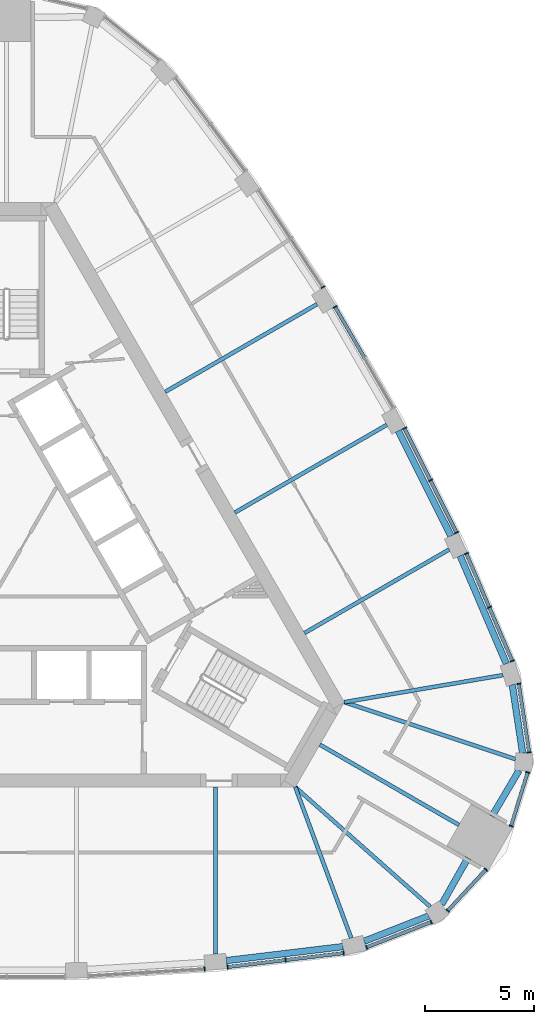
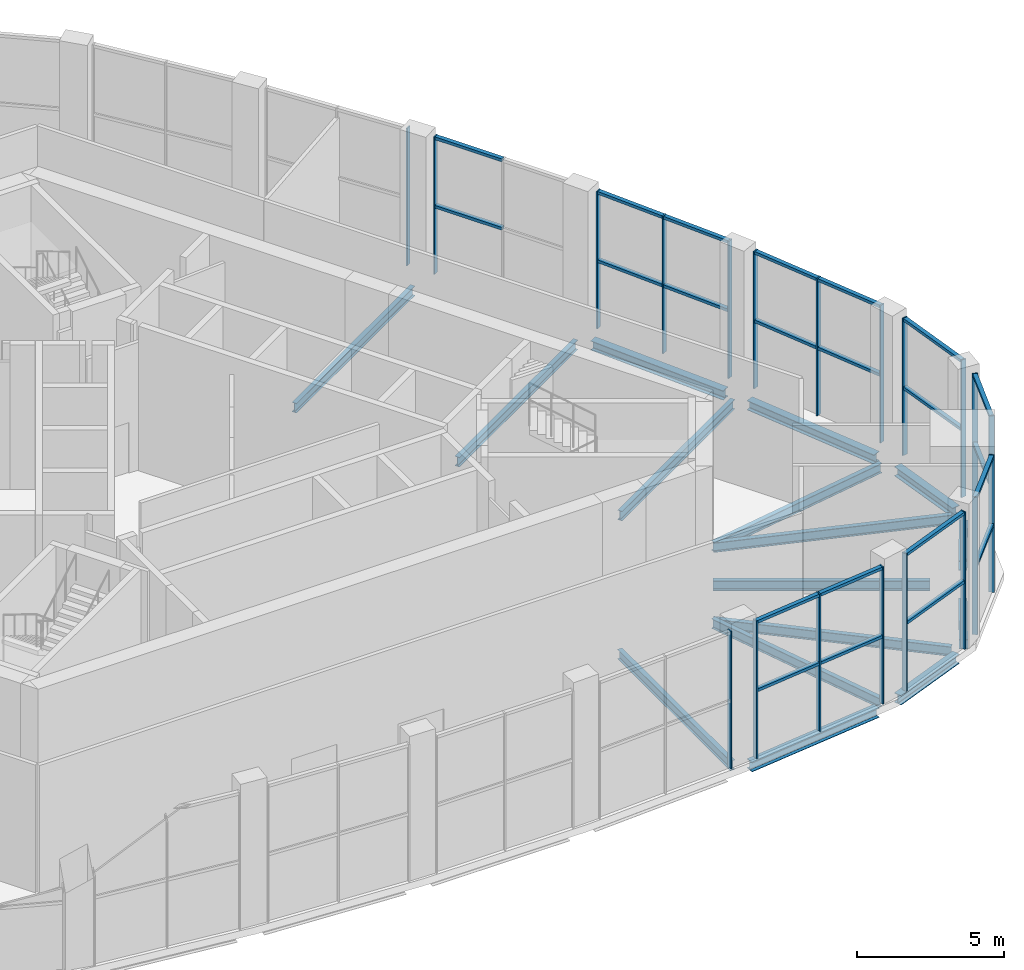
# One storey, part 5 of 15: 42 members, 16 beams, 3 elements without a shape of their own.
"""IFC4 building model written with IfcOpenShell, lengths in metres."""

from ifc_helpers import new_model, si_unit, direction, frame, origin, origin_2d, place, context, subcontext, project, spatial, rectangle, i_section, extrude, material, material_profile, profile_set, type_object, element, aggregate, save


model = new_model("IFC4")

# Units and contexts
model_context = context("Model", 3, precision=1e-05, world=origin(), true_north=direction((0.0, 1.0)))
body_context = subcontext(model_context, "Body", "Model", "MODEL_VIEW")
ifc_project = project(units=[si_unit("LENGTHUNIT", "METRE"), si_unit("AREAUNIT", "SQUARE_METRE"), si_unit("VOLUMEUNIT", "CUBIC_METRE"), si_unit("PLANEANGLEUNIT", "RADIAN"), si_unit("MASSUNIT", "GRAM", prefix="KILO")], contexts=[model_context])

# Site, building, storey
site_placement = place(None, origin())
site = spatial("IfcSite", under=ifc_project, at=site_placement, CompositionType="ELEMENT")
building_placement = place(site_placement, origin())
building = spatial("IfcBuilding", under=site, at=building_placement, Name="Mestral Congress Tower", CompositionType="ELEMENT")
storey_placement = place(building_placement, frame((0.0, 0.0, 321.60009765625)))
storey = spatial("IfcBuildingStorey", under=building, at=storey_placement, Name="L75", CompositionType="ELEMENT", Elevation=321.60009765625)

# Curtain wall, members
ifc_material_1 = material(Name="Clear low-emissivity double glazing", Category="glass")
curtain_wall_type = type_object("IfcCurtainWallType", Name="Facade lookout lounge curtain wall", PredefinedType="USERDEFINED", material=ifc_material_1)
placement = place(storey_placement, origin())
curtain_wall_1 = element("IfcCurtainWall", 1, at=placement, inside=storey, type_object=curtain_wall_type, Name="Facade lookout lounge curtain wall face 1", ObjectType="CURTAIN WALL", PredefinedType="USERDEFINED")
ifc_material_2 = material(Name="Anodised aluminium", Category="aluminium")
ifc_material_profile_1 = material_profile(ifc_material_2, rectangle(XDim=0.199951171875, YDim=0.050048828125, at=origin_2d()), Name="CW2 mullion 200 x 50")
ifc_profile_set_1 = profile_set([ifc_material_profile_1], Name="Anodised aluminium")
member_type_1 = type_object("IfcMemberType", Name="Facade lookout lounge curtain wall mullion", PredefinedType="MULLION", material=ifc_profile_set_1)
member_1_placement = place(storey_placement, frame((9.08447265625, -18.604248046875, 0.0), z_axis=(0.0, 0.0, 1.0), x_axis=(0.05961823471, -0.998221251071, 0.0)))
member_1 = element("IfcMember", 2, at=member_1_placement, type_object=member_type_1, Name="Facade lookout lounge curtain wall mullion", PredefinedType="MULLION", context=body_context, shape_type="SweptSolid", body=[
    extrude(rectangle(XDim=0.199951171875, YDim=0.050048828125, at=origin_2d()), origin(), (0.0, 0.0, 1.0), 5.699951171875),
])
member_2_placement = place(storey_placement, frame((10.140625, -18.509521484375, 0.0), z_axis=(0.0, 0.0, 1.0), x_axis=(0.119057303137, -0.992887384636, 0.0)))
member_2 = element("IfcMember", 3, at=member_2_placement, type_object=member_type_1, Name="Facade lookout lounge curtain wall mullion", PredefinedType="MULLION", context=body_context, shape_type="SweptSolid", body=[
    extrude(rectangle(XDim=0.199951171875, YDim=0.050048828125, at=origin_2d()), origin(), (0.0, 0.0, 1.0), 5.699951171875),
])
member_3_placement = place(storey_placement, frame((12.80419921875, -18.190185546875, 0.0), z_axis=(0.0, 0.0, 1.0), x_axis=(0.119057303137, -0.992887384636, 0.0)))
member_3 = element("IfcMember", 4, at=member_3_placement, type_object=member_type_1, Name="Facade lookout lounge curtain wall mullion", PredefinedType="MULLION", context=body_context, shape_type="SweptSolid", body=[
    extrude(rectangle(XDim=0.199951171875, YDim=0.050048828125, at=origin_2d()), origin(), (0.0, 0.0, 1.0), 5.699951171875),
])
member_4_placement = place(storey_placement, frame((15.467529296875, -17.87060546875, 0.0), z_axis=(0.0, 0.0, 1.0), x_axis=(0.119057303137, -0.992887384636, 0.0)))
member_4 = element("IfcMember", 5, at=member_4_placement, type_object=member_type_1, Name="Facade lookout lounge curtain wall mullion", PredefinedType="MULLION", context=body_context, shape_type="SweptSolid", body=[
    extrude(rectangle(XDim=0.199951171875, YDim=0.050048828125, at=origin_2d()), origin(), (0.0, 0.0, 1.0), 5.699951171875),
])

curtain_wall_2 = element("IfcCurtainWall", 6, at=placement, inside=storey, type_object=curtain_wall_type, Name="Facade lookout lounge curtain wall face 2", ObjectType="CURTAIN WALL", PredefinedType="USERDEFINED")
member_5_placement = place(storey_placement, frame((23.21044921875, -4.4599609375, 0.0), z_axis=(0.0, 0.0, 1.0), x_axis=(0.919386111527, 0.39335629896, 0.0)))
member_5 = element("IfcMember", 7, at=member_5_placement, type_object=member_type_1, Name="Facade lookout lounge curtain wall mullion", PredefinedType="MULLION", context=body_context, shape_type="SweptSolid", body=[
    extrude(rectangle(XDim=0.199951171875, YDim=0.050048828125, at=origin_2d()), origin(), (0.0, 0.0, 1.0), 5.699951171875),
])
member_6_placement = place(storey_placement, frame((22.1552734375, -1.99365234375, 0.0), z_axis=(0.0, 0.0, 1.0), x_axis=(0.919386111527, 0.39335629896, 0.0)))
member_6 = element("IfcMember", 8, at=member_6_placement, type_object=member_type_1, Name="Facade lookout lounge curtain wall mullion", PredefinedType="MULLION", context=body_context, shape_type="SweptSolid", body=[
    extrude(rectangle(XDim=0.199951171875, YDim=0.050048828125, at=origin_2d()), origin(), (0.0, 0.0, 1.0), 5.699951171875),
])
member_7_placement = place(storey_placement, frame((21.10009765625, 0.472412109375, 0.0), z_axis=(0.0, 0.0, 1.0), x_axis=(0.919386111527, 0.39335629896, 0.0)))
member_7 = element("IfcMember", 9, at=member_7_placement, type_object=member_type_1, Name="Facade lookout lounge curtain wall mullion", PredefinedType="MULLION", context=body_context, shape_type="SweptSolid", body=[
    extrude(rectangle(XDim=0.199951171875, YDim=0.050048828125, at=origin_2d()), origin(), (0.0, 0.0, 1.0), 5.699951171875),
])
member_8_placement = place(storey_placement, frame((20.654052734375, 1.434814453125, 0.0), z_axis=(0.0, 0.0, 1.0), x_axis=(0.89429954631, 0.447468793851, 0.0)))
member_8 = element("IfcMember", 10, at=member_8_placement, type_object=member_type_1, Name="Facade lookout lounge curtain wall mullion", PredefinedType="MULLION", context=body_context, shape_type="SweptSolid", body=[
    extrude(rectangle(XDim=0.199951171875, YDim=0.050048828125, at=origin_2d()), origin(), (0.0, 0.0, 1.0), 5.699951171875),
])
member_9_placement = place(storey_placement, frame((19.455810546875, 3.82958984375, 0.0), z_axis=(0.0, 0.0, 1.0), x_axis=(0.89429954631, 0.447468793851, 0.0)))
member_9 = element("IfcMember", 11, at=member_9_placement, type_object=member_type_1, Name="Facade lookout lounge curtain wall mullion", PredefinedType="MULLION", context=body_context, shape_type="SweptSolid", body=[
    extrude(rectangle(XDim=0.199951171875, YDim=0.050048828125, at=origin_2d()), origin(), (0.0, 0.0, 1.0), 5.699951171875),
])
member_10_placement = place(storey_placement, frame((18.25732421875, 6.224609375, 0.0), z_axis=(0.0, 0.0, 1.0), x_axis=(0.89429954631, 0.447468793851, 0.0)))
member_10 = element("IfcMember", 12, at=member_10_placement, type_object=member_type_1, Name="Facade lookout lounge curtain wall mullion", PredefinedType="MULLION", context=body_context, shape_type="SweptSolid", body=[
    extrude(rectangle(XDim=0.199951171875, YDim=0.050048828125, at=origin_2d()), origin(), (0.0, 0.0, 1.0), 5.699951171875),
])
member_11_placement = place(storey_placement, frame((15.07666015625, 11.796875, 0.0), z_axis=(0.0, 0.0, 1.0), x_axis=(0.866021913105, 0.500006045986, 0.0)))
member_11 = element("IfcMember", 13, at=member_11_placement, type_object=member_type_1, Name="Facade lookout lounge curtain wall mullion", PredefinedType="MULLION", context=body_context, shape_type="SweptSolid", body=[
    extrude(rectangle(XDim=0.199951171875, YDim=0.050048828125, at=origin_2d()), origin(), (0.0, 0.0, 1.0), 5.699951171875),
])
member_12_placement = place(storey_placement, frame((14.519287109375, 12.698974609375, 0.0), z_axis=(0.0, 0.0, 1.0), x_axis=(0.834674883443, 0.550742988107, 0.0)))
member_12 = element("IfcMember", 14, at=member_12_placement, type_object=member_type_1, Name="Facade lookout lounge curtain wall mullion", PredefinedType="MULLION", context=body_context, shape_type="SweptSolid", body=[
    extrude(rectangle(XDim=0.199951171875, YDim=0.050048828125, at=origin_2d()), origin(), (0.0, 0.0, 1.0), 5.699951171875),
])

curtain_wall_3 = element("IfcCurtainWall", 15, at=placement, inside=storey, type_object=curtain_wall_type, Name="Facade lookout lounge curtain wall corner 1", ObjectType="CURTAIN WALL", PredefinedType="USERDEFINED")
member_13_placement = place(storey_placement, frame((16.522705078125, -17.60595703125, 0.0), z_axis=(0.0, 0.0, 1.0), x_axis=(0.365023029741, -0.930998489665, 0.0)))
member_13 = element("IfcMember", 16, at=member_13_placement, type_object=member_type_1, Name="Facade lookout lounge curtain wall mullion", PredefinedType="MULLION", context=body_context, shape_type="SweptSolid", body=[
    extrude(rectangle(XDim=0.199951171875, YDim=0.050048828125, at=origin_2d()), origin(), (0.0, 0.0, 1.0), 5.699951171875),
])
member_14_placement = place(storey_placement, frame((19.489501953125, -16.442626953125, 0.0), z_axis=(0.0, 0.0, 1.0), x_axis=(0.365023029741, -0.930998489665, 0.0)))
member_14 = element("IfcMember", 17, at=member_14_placement, type_object=member_type_1, Name="Facade lookout lounge curtain wall mullion", PredefinedType="MULLION", context=body_context, shape_type="SweptSolid", body=[
    extrude(rectangle(XDim=0.199951171875, YDim=0.050048828125, at=origin_2d()), origin(), (0.0, 0.0, 1.0), 5.699951171875),
])
member_15_placement = place(storey_placement, frame((20.248046875, -15.92578125, 0.0), z_axis=(0.0, 0.0, 1.0), x_axis=(0.732987085377, -0.680242554292, 0.0)))
member_15 = element("IfcMember", 18, at=member_15_placement, type_object=member_type_1, Name="Facade lookout lounge curtain wall mullion", PredefinedType="MULLION", context=body_context, shape_type="SweptSolid", body=[
    extrude(rectangle(XDim=0.199951171875, YDim=0.050048828125, at=origin_2d()), origin(), (0.0, 0.0, 1.0), 5.699951171875),
])
member_16_placement = place(storey_placement, frame((22.0009765625, -14.037109375, 0.0), z_axis=(0.0, 0.0, 1.0), x_axis=(0.732987085377, -0.680242554292, 0.0)))
member_16 = element("IfcMember", 19, at=member_16_placement, type_object=member_type_1, Name="Facade lookout lounge curtain wall mullion", PredefinedType="MULLION", context=body_context, shape_type="SweptSolid", body=[
    extrude(rectangle(XDim=0.199951171875, YDim=0.050048828125, at=origin_2d()), origin(), (0.0, 0.0, 1.0), 5.699951171875),
])
member_17_placement = place(storey_placement, frame((23.15673828125, -12.034912109375, 0.0), z_axis=(0.0, 0.0, 1.0), x_axis=(0.955601904007, -0.294660823758, 0.0)))
member_17 = element("IfcMember", 20, at=member_17_placement, type_object=member_type_1, Name="Facade lookout lounge curtain wall mullion", PredefinedType="MULLION", context=body_context, shape_type="SweptSolid", body=[
    extrude(rectangle(XDim=0.199951171875, YDim=0.050048828125, at=origin_2d()), origin(), (0.0, 0.0, 1.0), 5.699951171875),
])
member_18_placement = place(storey_placement, frame((23.916259765625, -9.572265625, 0.0), z_axis=(0.0, 0.0, 1.0), x_axis=(0.955601904007, -0.294660823758, 0.0)))
member_18 = element("IfcMember", 21, at=member_18_placement, type_object=member_type_1, Name="Facade lookout lounge curtain wall mullion", PredefinedType="MULLION", context=body_context, shape_type="SweptSolid", body=[
    extrude(rectangle(XDim=0.199951171875, YDim=0.050048828125, at=origin_2d()), origin(), (0.0, 0.0, 1.0), 5.699951171875),
])
member_19_placement = place(storey_placement, frame((23.984619140625, -8.656982421875, 0.0), z_axis=(0.0, 0.0, 1.0), x_axis=(0.988781943448, 0.149366222125, 0.0)))
member_19 = element("IfcMember", 22, at=member_19_placement, type_object=member_type_1, Name="Facade lookout lounge curtain wall mullion", PredefinedType="MULLION", context=body_context, shape_type="SweptSolid", body=[
    extrude(rectangle(XDim=0.199951171875, YDim=0.050048828125, at=origin_2d()), origin(), (0.0, 0.0, 1.0), 5.699951171875),
])
member_20_placement = place(storey_placement, frame((23.508544921875, -5.506103515625, 0.0), z_axis=(0.0, 0.0, 1.0), x_axis=(0.988781943448, 0.149366222125, 0.0)))
member_20 = element("IfcMember", 23, at=member_20_placement, type_object=member_type_1, Name="Facade lookout lounge curtain wall mullion", PredefinedType="MULLION", context=body_context, shape_type="SweptSolid", body=[
    extrude(rectangle(XDim=0.199951171875, YDim=0.050048828125, at=origin_2d()), origin(), (0.0, 0.0, 1.0), 5.699951171875),
])

# Member
ifc_material_profile_2 = material_profile(ifc_material_2, rectangle(XDim=0.159912109375, YDim=0.1201171875, at=origin_2d()), Name="CW2 transom 160 x 120")
ifc_profile_set_2 = profile_set([ifc_material_profile_2], Name="Anodised aluminium")
member_type_2 = type_object("IfcMemberType", Name="Facade lookout lounge curtain wall transom", PredefinedType="USERDEFINED", material=ifc_profile_set_2)
member_21_placement = place(storey_placement, frame((10.16552734375, -18.506591796875, 2.7998046875), z_axis=(0.992884735377, 0.119079394753, 0.0), x_axis=(-0.119079394753, 0.992884735377, 0.0)))
member_21 = element("IfcMember", 24, at=member_21_placement, type_object=member_type_2, Name="Facade lookout lounge curtain wall transom", ObjectType="TRANSOM", PredefinedType="USERDEFINED", context=body_context, shape_type="SweptSolid", body=[
    extrude(rectangle(XDim=0.159912109375, YDim=0.1201171875, at=origin_2d()), origin(), (0.0, 0.0, 1.0), 2.632568359375),
])

member_22_placement = place(storey_placement, frame((10.16552734375, -18.506591796875, 5.639892578125), z_axis=(0.992884735377, 0.119079394753, 0.0), x_axis=(-0.119079394753, 0.992884735377, 0.0)))
member_22 = element("IfcMember", 25, at=member_22_placement, type_object=member_type_2, Name="Facade lookout lounge curtain wall transom", ObjectType="TRANSOM", PredefinedType="USERDEFINED", context=body_context, shape_type="SweptSolid", body=[
    extrude(rectangle(XDim=0.159912109375, YDim=0.1201171875, at=origin_2d()), origin(), (0.0, 0.0, 1.0), 2.632568359375),
])

member_23_placement = place(storey_placement, frame((12.8291015625, -18.18701171875, 2.7998046875), z_axis=(0.992895696249, 0.118987967335, 0.0), x_axis=(-0.118987967335, 0.992895696249, 0.0)))
member_23 = element("IfcMember", 26, at=member_23_placement, type_object=member_type_2, Name="Facade lookout lounge curtain wall transom", ObjectType="TRANSOM", PredefinedType="USERDEFINED", context=body_context, shape_type="SweptSolid", body=[
    extrude(rectangle(XDim=0.159912109375, YDim=0.1201171875, at=origin_2d()), origin(), (0.0, 0.0, 1.0), 2.632568359375),
])

member_24_placement = place(storey_placement, frame((12.8291015625, -18.18701171875, 5.639892578125), z_axis=(0.992895696249, 0.118987967335, 0.0), x_axis=(-0.118987967335, 0.992895696249, 0.0)))
member_24 = element("IfcMember", 27, at=member_24_placement, type_object=member_type_2, Name="Facade lookout lounge curtain wall transom", ObjectType="TRANSOM", PredefinedType="USERDEFINED", context=body_context, shape_type="SweptSolid", body=[
    extrude(rectangle(XDim=0.159912109375, YDim=0.1201171875, at=origin_2d()), origin(), (0.0, 0.0, 1.0), 2.632568359375),
])

aggregate(curtain_wall_1, [member_1, member_2, member_3, member_4, member_21, member_22, member_23, member_24])

member_25_placement = place(storey_placement, frame((23.200439453125, -4.43701171875, 2.7998046875), z_axis=(-0.393303619027, 0.919408648676, 0.0), x_axis=(-0.919408648676, -0.393303619027, 0.0)))
member_25 = element("IfcMember", 28, at=member_25_placement, type_object=member_type_2, Name="Facade lookout lounge curtain wall transom", ObjectType="TRANSOM", PredefinedType="USERDEFINED", context=body_context, shape_type="SweptSolid", body=[
    extrude(rectangle(XDim=0.159912109375, YDim=0.1201171875, at=origin_2d()), origin(), (0.0, 0.0, 1.0), 2.632568359375),
])

member_26_placement = place(storey_placement, frame((23.200439453125, -4.43701171875, 5.639892578125), z_axis=(-0.393303619027, 0.919408648676, 0.0), x_axis=(-0.919408648676, -0.393303619027, 0.0)))
member_26 = element("IfcMember", 29, at=member_26_placement, type_object=member_type_2, Name="Facade lookout lounge curtain wall transom", ObjectType="TRANSOM", PredefinedType="USERDEFINED", context=body_context, shape_type="SweptSolid", body=[
    extrude(rectangle(XDim=0.159912109375, YDim=0.1201171875, at=origin_2d()), origin(), (0.0, 0.0, 1.0), 2.632568359375),
])

member_27_placement = place(storey_placement, frame((22.1455078125, -1.970703125, 2.7998046875), z_axis=(-0.393415549329, 0.919360759194, 0.0), x_axis=(-0.919360759194, -0.393415549329, 0.0)))
member_27 = element("IfcMember", 30, at=member_27_placement, type_object=member_type_2, Name="Facade lookout lounge curtain wall transom", ObjectType="TRANSOM", PredefinedType="USERDEFINED", context=body_context, shape_type="SweptSolid", body=[
    extrude(rectangle(XDim=0.159912109375, YDim=0.1201171875, at=origin_2d()), origin(), (0.0, 0.0, 1.0), 2.63232421875),
])

member_28_placement = place(storey_placement, frame((22.1455078125, -1.970703125, 5.639892578125), z_axis=(-0.393415549329, 0.919360759194, 0.0), x_axis=(-0.919360759194, -0.393415549329, 0.0)))
member_28 = element("IfcMember", 31, at=member_28_placement, type_object=member_type_2, Name="Facade lookout lounge curtain wall transom", ObjectType="TRANSOM", PredefinedType="USERDEFINED", context=body_context, shape_type="SweptSolid", body=[
    extrude(rectangle(XDim=0.159912109375, YDim=0.1201171875, at=origin_2d()), origin(), (0.0, 0.0, 1.0), 2.63232421875),
])

member_29_placement = place(storey_placement, frame((20.642822265625, 1.45703125, 2.7998046875), z_axis=(-0.447473681699, 0.894297100625, 0.0), x_axis=(-0.894297100625, -0.447473681699, 0.0)))
member_29 = element("IfcMember", 32, at=member_29_placement, type_object=member_type_2, Name="Facade lookout lounge curtain wall transom", ObjectType="TRANSOM", PredefinedType="USERDEFINED", context=body_context, shape_type="SweptSolid", body=[
    extrude(rectangle(XDim=0.159912109375, YDim=0.1201171875, at=origin_2d()), origin(), (0.0, 0.0, 1.0), 2.628173828125),
])

member_30_placement = place(storey_placement, frame((20.642822265625, 1.45703125, 5.639892578125), z_axis=(-0.447473681699, 0.894297100625, 0.0), x_axis=(-0.894297100625, -0.447473681699, 0.0)))
member_30 = element("IfcMember", 33, at=member_30_placement, type_object=member_type_2, Name="Facade lookout lounge curtain wall transom", ObjectType="TRANSOM", PredefinedType="USERDEFINED", context=body_context, shape_type="SweptSolid", body=[
    extrude(rectangle(XDim=0.159912109375, YDim=0.1201171875, at=origin_2d()), origin(), (0.0, 0.0, 1.0), 2.628173828125),
])

member_31_placement = place(storey_placement, frame((19.444580078125, 3.85205078125, 2.7998046875), z_axis=(-0.447510858475, 0.894278497755, 0.0), x_axis=(-0.894278497755, -0.447510858475, 0.0)))
member_31 = element("IfcMember", 34, at=member_31_placement, type_object=member_type_2, Name="Facade lookout lounge curtain wall transom", ObjectType="TRANSOM", PredefinedType="USERDEFINED", context=body_context, shape_type="SweptSolid", body=[
    extrude(rectangle(XDim=0.159912109375, YDim=0.1201171875, at=origin_2d()), origin(), (0.0, 0.0, 1.0), 2.6279296875),
])

member_32_placement = place(storey_placement, frame((19.444580078125, 3.85205078125, 5.639892578125), z_axis=(-0.447510858475, 0.894278497755, 0.0), x_axis=(-0.894278497755, -0.447510858475, 0.0)))
member_32 = element("IfcMember", 35, at=member_32_placement, type_object=member_type_2, Name="Facade lookout lounge curtain wall transom", ObjectType="TRANSOM", PredefinedType="USERDEFINED", context=body_context, shape_type="SweptSolid", body=[
    extrude(rectangle(XDim=0.159912109375, YDim=0.1201171875, at=origin_2d()), origin(), (0.0, 0.0, 1.0), 2.6279296875),
])

member_33_placement = place(storey_placement, frame((16.4033203125, 9.499267578125, 2.7998046875), z_axis=(-0.500065546168, 0.86598755738, 0.0), x_axis=(-0.86598755738, -0.500065546168, 0.0)))
member_33 = element("IfcMember", 36, at=member_33_placement, type_object=member_type_2, Name="Facade lookout lounge curtain wall transom", ObjectType="TRANSOM", PredefinedType="USERDEFINED", context=body_context, shape_type="SweptSolid", body=[
    extrude(rectangle(XDim=0.159912109375, YDim=0.1201171875, at=origin_2d()), origin(), (0.0, 0.0, 1.0), 2.628173828125),
])

member_34_placement = place(storey_placement, frame((16.4033203125, 9.499267578125, 5.639892578125), z_axis=(-0.500065546168, 0.86598755738, 0.0), x_axis=(-0.86598755738, -0.500065546168, 0.0)))
member_34 = element("IfcMember", 37, at=member_34_placement, type_object=member_type_2, Name="Facade lookout lounge curtain wall transom", ObjectType="TRANSOM", PredefinedType="USERDEFINED", context=body_context, shape_type="SweptSolid", body=[
    extrude(rectangle(XDim=0.159912109375, YDim=0.1201171875, at=origin_2d()), origin(), (0.0, 0.0, 1.0), 2.628173828125),
])

aggregate(curtain_wall_2, [member_5, member_6, member_7, member_25, member_26, member_27, member_28, member_8, member_9, member_10, member_29, member_30, member_31, member_32, member_11, member_33, member_34, member_12])

member_35_placement = place(storey_placement, frame((16.5458984375, -17.5966796875, 2.7998046875), z_axis=(0.931025578273, 0.364953932162, 0.0), x_axis=(-0.364953932162, 0.931025578273, 0.0)))
member_35 = element("IfcMember", 38, at=member_35_placement, type_object=member_type_2, Name="Facade lookout lounge curtain wall transom", ObjectType="TRANSOM", PredefinedType="USERDEFINED", context=body_context, shape_type="SweptSolid", body=[
    extrude(rectangle(XDim=0.159912109375, YDim=0.1201171875, at=origin_2d()), origin(), (0.0, 0.0, 1.0), 3.13671875),
])

member_36_placement = place(storey_placement, frame((16.5458984375, -17.5966796875, 5.639892578125), z_axis=(0.931025578273, 0.364953932162, 0.0), x_axis=(-0.364953932162, 0.931025578273, 0.0)))
member_36 = element("IfcMember", 39, at=member_36_placement, type_object=member_type_2, Name="Facade lookout lounge curtain wall transom", ObjectType="TRANSOM", PredefinedType="USERDEFINED", context=body_context, shape_type="SweptSolid", body=[
    extrude(rectangle(XDim=0.159912109375, YDim=0.1201171875, at=origin_2d()), origin(), (0.0, 0.0, 1.0), 3.13671875),
])

member_37_placement = place(storey_placement, frame((20.264892578125, -15.907470703125, 2.7998046875), z_axis=(0.680288022938, 0.732944885955, 0.0), x_axis=(-0.732944885955, 0.680288022938, 0.0)))
member_37 = element("IfcMember", 40, at=member_37_placement, type_object=member_type_2, Name="Facade lookout lounge curtain wall transom", ObjectType="TRANSOM", PredefinedType="USERDEFINED", context=body_context, shape_type="SweptSolid", body=[
    extrude(rectangle(XDim=0.159912109375, YDim=0.1201171875, at=origin_2d()), origin(), (0.0, 0.0, 1.0), 2.52685546875),
])

member_38_placement = place(storey_placement, frame((20.264892578125, -15.907470703125, 5.639892578125), z_axis=(0.680288022938, 0.732944885955, 0.0), x_axis=(-0.732944885955, 0.680288022938, 0.0)))
member_38 = element("IfcMember", 41, at=member_38_placement, type_object=member_type_2, Name="Facade lookout lounge curtain wall transom", ObjectType="TRANSOM", PredefinedType="USERDEFINED", context=body_context, shape_type="SweptSolid", body=[
    extrude(rectangle(XDim=0.159912109375, YDim=0.1201171875, at=origin_2d()), origin(), (0.0, 0.0, 1.0), 2.52685546875),
])

member_39_placement = place(storey_placement, frame((23.164306640625, -12.010986328125, 2.7998046875), z_axis=(0.294581421985, 0.955626384013, 0.0), x_axis=(-0.955626384013, 0.294581421985, 0.0)))
member_39 = element("IfcMember", 42, at=member_39_placement, type_object=member_type_2, Name="Facade lookout lounge curtain wall transom", ObjectType="TRANSOM", PredefinedType="USERDEFINED", context=body_context, shape_type="SweptSolid", body=[
    extrude(rectangle(XDim=0.159912109375, YDim=0.1201171875, at=origin_2d()), origin(), (0.0, 0.0, 1.0), 2.52685546875),
])

member_40_placement = place(storey_placement, frame((23.164306640625, -12.010986328125, 5.639892578125), z_axis=(0.294581421985, 0.955626384013, 0.0), x_axis=(-0.955626384013, 0.294581421985, 0.0)))
member_40 = element("IfcMember", 43, at=member_40_placement, type_object=member_type_2, Name="Facade lookout lounge curtain wall transom", ObjectType="TRANSOM", PredefinedType="USERDEFINED", context=body_context, shape_type="SweptSolid", body=[
    extrude(rectangle(XDim=0.159912109375, YDim=0.1201171875, at=origin_2d()), origin(), (0.0, 0.0, 1.0), 2.52685546875),
])

member_41_placement = place(storey_placement, frame((23.980712890625, -8.63232421875, 2.7998046875), z_axis=(-0.149360378112, 0.988782826231, 0.0), x_axis=(-0.988782826231, -0.149360378112, 0.0)))
member_41 = element("IfcMember", 44, at=member_41_placement, type_object=member_type_2, Name="Facade lookout lounge curtain wall transom", ObjectType="TRANSOM", PredefinedType="USERDEFINED", context=body_context, shape_type="SweptSolid", body=[
    extrude(rectangle(XDim=0.159912109375, YDim=0.1201171875, at=origin_2d()), origin(), (0.0, 0.0, 1.0), 3.13671875),
])

member_42_placement = place(storey_placement, frame((23.980712890625, -8.63232421875, 5.639892578125), z_axis=(-0.149360378112, 0.988782826231, 0.0), x_axis=(-0.988782826231, -0.149360378112, 0.0)))
member_42 = element("IfcMember", 45, at=member_42_placement, type_object=member_type_2, Name="Facade lookout lounge curtain wall transom", ObjectType="TRANSOM", PredefinedType="USERDEFINED", context=body_context, shape_type="SweptSolid", body=[
    extrude(rectangle(XDim=0.159912109375, YDim=0.1201171875, at=origin_2d()), origin(), (0.0, 0.0, 1.0), 3.13671875),
])

aggregate(curtain_wall_3, [member_13, member_14, member_35, member_36, member_15, member_16, member_37, member_38, member_17, member_18, member_39, member_40, member_19, member_20, member_41, member_42])

# Beams
ifc_material_3 = material(Name="Steel S355", Category="steel")
ifc_material_profile_3 = material_profile(ifc_material_3, i_section(OverallWidth=0.179931640625, OverallDepth=0.39990234375, WebThickness=0.008544921875, FlangeThickness=0.013427734375, FilletRadius=0.02099609375, at=origin_2d()), Name="IPE 400")
ifc_profile_set_3 = profile_set([ifc_material_profile_3], Name="Steel S355")
beam_type_1 = type_object("IfcBeamType", Name="Floor beam IPE 400 S355", PredefinedType="BEAM", material=ifc_profile_set_3)
beam_1_placement = place(storey_placement, frame((9.587158203125, -17.92236328125, -0.5), z_axis=(0.0, 1.0, 0.0), x_axis=(-1.0, 0.0, 0.0)))
element("IfcBeam", 46, at=beam_1_placement, inside=storey, type_object=beam_type_1, Name="BM-L75-RB5-S04", PredefinedType="BEAM", context=body_context, shape_type="SweptSolid", body=[
    extrude(i_section(OverallWidth=0.179931640625, OverallDepth=0.39990234375, WebThickness=0.008544921875, FlangeThickness=0.013427734375, FilletRadius=0.02099609375, at=origin_2d()), origin(), (0.0, 0.0, 1.0), 7.67236328125),
])
beam_2_placement = place(storey_placement, frame((15.81787109375, -17.1806640625, -0.5), z_axis=(-0.347399345496, 0.937717278687, 0.0), x_axis=(-0.937717278687, -0.347399345496, 0.0)))
element("IfcBeam", 47, at=beam_2_placement, inside=storey, type_object=beam_type_1, Name="BM-L75-RB5-S05", PredefinedType="BEAM", context=body_context, shape_type="SweptSolid", body=[
    extrude(i_section(OverallWidth=0.179931640625, OverallDepth=0.39990234375, WebThickness=0.008544921875, FlangeThickness=0.013427734375, FilletRadius=0.02099609375, at=origin_2d()), origin(), (0.0, 0.0, 1.0), 7.39111328125),
])
beam_3_placement = place(storey_placement, frame((19.44580078125, -15.742919921875, -0.5), z_axis=(-0.74826277439, 0.663402457383, 0.0), x_axis=(-0.663402457383, -0.74826277439, 0.0)))
element("IfcBeam", 48, at=beam_3_placement, inside=storey, type_object=beam_type_1, Name="BM-L75-RB5-SE1", PredefinedType="BEAM", context=body_context, shape_type="SweptSolid", body=[
    extrude(i_section(OverallWidth=0.179931640625, OverallDepth=0.39990234375, WebThickness=0.008544921875, FlangeThickness=0.013427734375, FilletRadius=0.02099609375, at=origin_2d()), origin(), (0.0, 0.0, 1.0), 8.280029296875),
])
beam_4_placement = place(storey_placement, frame((20.765625, -11.989013671875, -0.5), z_axis=(-0.866031296205, 0.499989793889, 0.0), x_axis=(-0.499989793889, -0.866031296205, 0.0)))
element("IfcBeam", 49, at=beam_4_placement, inside=storey, type_object=beam_type_1, Name="BM-L75-RB5-SE", PredefinedType="BEAM", context=body_context, shape_type="SweptSolid", body=[
    extrude(i_section(OverallWidth=0.179931640625, OverallDepth=0.39990234375, WebThickness=0.008544921875, FlangeThickness=0.013427734375, FilletRadius=0.02099609375, at=origin_2d()), origin(), (0.0, 0.0, 1.0), 7.378173828125),
])
beam_5_placement = place(storey_placement, frame((23.356689453125, -8.968994140625, -0.5), z_axis=(-0.948659706446, 0.316298532031, 0.0), x_axis=(-0.316298532031, -0.948659706446, 0.0)))
element("IfcBeam", 50, at=beam_5_placement, inside=storey, type_object=beam_type_1, Name="BM-L75-RB5-SE3", PredefinedType="BEAM", context=body_context, shape_type="SweptSolid", body=[
    extrude(i_section(OverallWidth=0.179931640625, OverallDepth=0.39990234375, WebThickness=0.008544921875, FlangeThickness=0.013427734375, FilletRadius=0.02099609375, at=origin_2d()), origin(), (0.0, 0.0, 1.0), 8.27978515625),
])
beam_6_placement = place(storey_placement, frame((22.787841796875, -5.1083984375, -0.5), z_axis=(-0.985786503242, -0.168002886958, 0.0), x_axis=(0.168002886958, -0.985786503242, 0.0)))
element("IfcBeam", 51, at=beam_6_placement, inside=storey, type_object=beam_type_1, Name="BM-L75-RB5-E00", PredefinedType="BEAM", context=body_context, shape_type="SweptSolid", body=[
    extrude(i_section(OverallWidth=0.179931640625, OverallDepth=0.39990234375, WebThickness=0.008544921875, FlangeThickness=0.013427734375, FilletRadius=0.02099609375, at=origin_2d()), origin(), (0.0, 0.0, 1.0), 7.390869140625),
])
beam_7_placement = place(storey_placement, frame((20.314697265625, 0.658447265625, -0.5), z_axis=(-0.866019720907, -0.500009842903, 0.0), x_axis=(0.500009842903, -0.866019720907, 0.0)))
element("IfcBeam", 52, at=beam_7_placement, inside=storey, type_object=beam_type_1, Name="BM-L75-RB5-E01", PredefinedType="BEAM", context=body_context, shape_type="SweptSolid", body=[
    extrude(i_section(OverallWidth=0.179931640625, OverallDepth=0.39990234375, WebThickness=0.008544921875, FlangeThickness=0.013427734375, FilletRadius=0.02099609375, at=origin_2d()), origin(), (0.0, 0.0, 1.0), 7.672119140625),
])
for number, where, z_axis, x_axis, name in (
    (53, (17.452392578125, 6.381591796875, -0.5), (-0.866020537834, -0.500008427979, 0.0), (0.500008427979, -0.866020537834, 0.0), "BM-L75-RB5-E02"),
    (54, (14.2529296875, 11.92333984375, -0.5), (-0.866033662086, -0.499985695929, 0.0), (0.499985695929, -0.866033662086, 0.0), "BM-L75-RB5-E03"),
):
    element("IfcBeam", number, at=place(storey_placement, frame(where, z_axis=z_axis, x_axis=x_axis)), inside=storey, type_object=beam_type_1, Name=name, PredefinedType="BEAM", context=body_context, shape_type="SweptSolid", body=[
        extrude(i_section(OverallWidth=0.179931640625, OverallDepth=0.39990234375, WebThickness=0.008544921875, FlangeThickness=0.013427734375, FilletRadius=0.02099609375, at=origin_2d()), origin(), (0.0, 0.0, 1.0), 8.054931640625),
    ])
ifc_material_profile_4 = material_profile(ifc_material_3, i_section(OverallWidth=0.300048828125, OverallDepth=0.389892578125, WebThickness=0.010986328125, FlangeThickness=0.01904296875, FilletRadius=0.027099609375, at=origin_2d()), Name="HEA 400")
ifc_profile_set_4 = profile_set([ifc_material_profile_4], Name="Steel S355")
beam_type_2 = type_object("IfcBeamType", Name="Spandrel beam HEA 400 S355", PredefinedType="BEAM", material=ifc_profile_set_4)
beam_8_placement = place(storey_placement, frame((10.083984375, -18.214111328125, -0.4951171875), z_axis=(0.992890319222, 0.119032827389, 0.0), x_axis=(-0.119032827389, 0.992890319222, 0.0)))
element("IfcBeam", 55, at=beam_8_placement, inside=storey, type_object=beam_type_2, Name="SP-L75-SB5-S04", PredefinedType="BEAM", context=body_context, shape_type="SweptSolid", body=[
    extrude(i_section(OverallWidth=0.300048828125, OverallDepth=0.389892578125, WebThickness=0.010986328125, FlangeThickness=0.01904296875, FilletRadius=0.027099609375, at=origin_2d()), origin(), (0.0, 0.0, 1.0), 5.396240234375),
])
beam_9_placement = place(storey_placement, frame((16.411865234375, -17.3271484375, -0.4951171875), z_axis=(0.930980873283, 0.365067957485, 0.0), x_axis=(-0.365067957485, 0.930980873283, 0.0)))
element("IfcBeam", 56, at=beam_9_placement, inside=storey, type_object=beam_type_2, Name="SP-L75-SB5-S05", PredefinedType="BEAM", context=body_context, shape_type="SweptSolid", body=[
    extrude(i_section(OverallWidth=0.300048828125, OverallDepth=0.389892578125, WebThickness=0.010986328125, FlangeThickness=0.01904296875, FilletRadius=0.027099609375, at=origin_2d()), origin(), (0.0, 0.0, 1.0), 3.179931640625),
])
beam_10_placement = place(storey_placement, frame((19.9736328125, -15.628173828125, -0.4951171875), z_axis=(0.491728558518, 0.870748542771, 0.0), x_axis=(-0.870748542771, 0.491728558518, 0.0)))
element("IfcBeam", 57, at=beam_10_placement, inside=storey, type_object=beam_type_2, Name="SP-L75-SB5-SE1", PredefinedType="BEAM", context=body_context, shape_type="SweptSolid", body=[
    extrude(i_section(OverallWidth=0.300048828125, OverallDepth=0.389892578125, WebThickness=0.010986328125, FlangeThickness=0.01904296875, FilletRadius=0.027099609375, at=origin_2d()), origin(), (0.0, 0.0, 1.0), 2.44775390625),
])
beam_11_placement = place(storey_placement, frame((22.27734375, -11.591552734375, -0.4951171875), z_axis=(0.508218412694, 0.861228218882, 0.0), x_axis=(-0.861228218882, 0.508218412694, 0.0)))
element("IfcBeam", 58, at=beam_11_placement, inside=storey, type_object=beam_type_2, Name="SP-L75-SB5-SE", PredefinedType="BEAM", context=body_context, shape_type="SweptSolid", body=[
    extrude(i_section(OverallWidth=0.300048828125, OverallDepth=0.389892578125, WebThickness=0.010986328125, FlangeThickness=0.01904296875, FilletRadius=0.027099609375, at=origin_2d()), origin(), (0.0, 0.0, 1.0), 2.447509765625),
])
beam_12_placement = place(storey_placement, frame((23.686767578125, -8.69384765625, -0.4951171875), z_axis=(-0.149402818736, 0.98877641444, 0.0), x_axis=(-0.98877641444, -0.149402818736, 0.0)))
element("IfcBeam", 59, at=beam_12_placement, inside=storey, type_object=beam_type_2, Name="SP-L75-SB5-SE3", PredefinedType="BEAM", context=body_context, shape_type="SweptSolid", body=[
    extrude(i_section(OverallWidth=0.300048828125, OverallDepth=0.389892578125, WebThickness=0.010986328125, FlangeThickness=0.01904296875, FilletRadius=0.027099609375, at=origin_2d()), origin(), (0.0, 0.0, 1.0), 3.179931640625),
])
beam_13_placement = place(storey_placement, frame((22.9384765625, -4.587158203125, -0.4951171875), z_axis=(-0.393367759324, 0.919381208164, 0.0), x_axis=(-0.919381208164, -0.393367759324, 0.0)))
element("IfcBeam", 60, at=beam_13_placement, inside=storey, type_object=beam_type_2, Name="SP-L75-SB5-E00", PredefinedType="BEAM", context=body_context, shape_type="SweptSolid", body=[
    extrude(i_section(OverallWidth=0.300048828125, OverallDepth=0.389892578125, WebThickness=0.010986328125, FlangeThickness=0.01904296875, FilletRadius=0.027099609375, at=origin_2d()), origin(), (0.0, 0.0, 1.0), 5.396484375),
])
beam_14_placement = place(storey_placement, frame((20.395263671875, 1.281494140625, -0.4951171875), z_axis=(-0.44748491494, 0.894291479832, 0.0), x_axis=(-0.894291479832, -0.44748491494, 0.0)))
element("IfcBeam", 61, at=beam_14_placement, inside=storey, type_object=beam_type_2, Name="SP-L75-SB5-E01", PredefinedType="BEAM", context=body_context, shape_type="SweptSolid", body=[
    extrude(i_section(OverallWidth=0.300048828125, OverallDepth=0.389892578125, WebThickness=0.010986328125, FlangeThickness=0.01904296875, FilletRadius=0.027099609375, at=origin_2d()), origin(), (0.0, 0.0, 1.0), 5.3984375),
])

save(model, "model.ifc")
